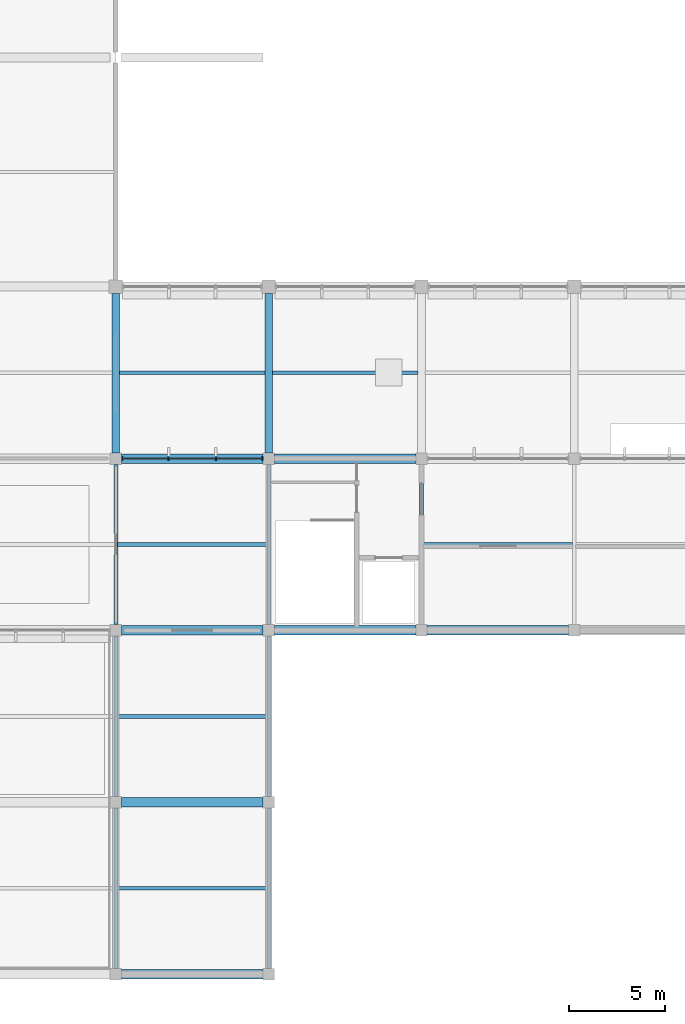
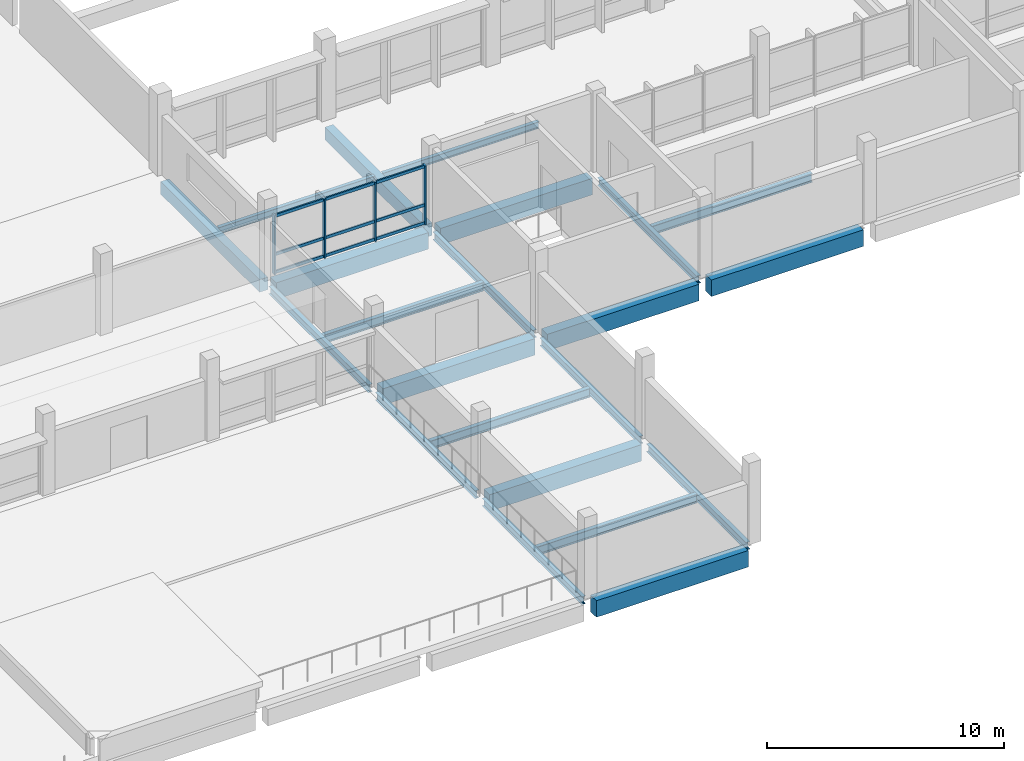
# One storey, part 5 of 70: 22 beams, 13 members, 1 element without a shape of its own.
"""IFC4 building model written with IfcOpenShell, lengths in metres."""

import ifcopenshell
import ifcopenshell.guid

model = None  # the IFC model being written
_history = None  # IfcOwnerHistory: only IFC2X3 demands one
_inside = {}  # id of a spatial element -> (the spatial element, [elements in it])
_under = {}  # id of a project, library or spatial element -> (it, [spatial elements below it])
_declared = {}  # id of a project -> (the project, [libraries it declares])
_typed = {}  # id of a type object -> (the type object, [elements of that type])
_made_of = {}  # id of a material, layer set ... -> (it, [elements and type objects made of it])


def new_model(schema):
    """Start an empty IFC model of exactly this schema.

    Asked for "IFC4X3", IfcOpenShell would pick the latest addendum, in which some entities
    have other attributes; the version numbers below select the first issue.
    IFC2X3 requires an IfcOwnerHistory on every rooted entity: one is made here for all.
    """
    global model, _history
    if schema == "IFC4X3":
        model = ifcopenshell.file(schema_version=(4, 3, 0, 0))
    else:
        model = ifcopenshell.file(schema=schema)
    _inside.clear()
    _under.clear()
    _declared.clear()
    _typed.clear()
    _made_of.clear()
    _history = None
    if model.schema == "IFC2X3":
        org = make("IfcOrganization", Name="unknown")
        user = make(
            "IfcPersonAndOrganization",
            ThePerson=make("IfcPerson", FamilyName="unknown"),
            TheOrganization=org,
        )
        app = make(
            "IfcApplication",
            ApplicationDeveloper=org,
            Version="unknown",
            ApplicationFullName="unknown",
            ApplicationIdentifier="unknown",
        )
        _history = make(
            "IfcOwnerHistory",
            OwningUser=user,
            OwningApplication=app,
            ChangeAction="ADDED",
            CreationDate=0,
        )
    return model


def make(cls, **values):
    """One entity of the class cls with the attributes given. An attribute that is None is left unset."""
    return model.create_entity(
        cls, **{name: value for name, value in values.items() if value is not None}
    )


def rooted(cls, **values):
    """An entity with a GlobalId (a new one), such as an element, a storey or a relation."""
    return make(cls, GlobalId=ifcopenshell.guid.new(), OwnerHistory=_history, **values)


def si_unit(unit_type, name, prefix=None):
    """IfcSIUnit, for example si_unit("LENGTHUNIT", "METRE", prefix="MILLI")."""
    return make("IfcSIUnit", UnitType=unit_type, Prefix=prefix, Name=name)


def assignment(units):
    """IfcUnitAssignment: the units of a project."""
    return None if units is None else make("IfcUnitAssignment", Units=units)


def point(xyz):
    """IfcCartesianPoint."""
    return None if xyz is None else make("IfcCartesianPoint", Coordinates=xyz)


def direction(xyz):
    """IfcDirection."""
    return None if xyz is None else make("IfcDirection", DirectionRatios=xyz)


def frame(location, z_axis=None, x_axis=None):
    """IfcAxis2Placement3D, a coordinate frame: its origin and axes. An axis left out is left unset."""
    return make(
        "IfcAxis2Placement3D",
        Location=point(location),
        Axis=direction(z_axis),
        RefDirection=direction(x_axis),
    )


def frame_2d(location, x_axis=None):
    """IfcAxis2Placement2D, a coordinate frame in the plane: its origin and x axis."""
    return make(
        "IfcAxis2Placement2D", Location=point(location), RefDirection=direction(x_axis)
    )


def origin():
    """The frame at (0, 0, 0) with its axes left unset."""
    return frame((0.0, 0.0, 0.0))


def origin_2d():
    """The frame at (0, 0) in the plane with its x axis left unset."""
    return frame_2d((0.0, 0.0))


def place(relative_to, where):
    """IfcLocalPlacement: puts the frame where relative to a parent placement (None: the world)."""
    return make(
        "IfcLocalPlacement", PlacementRelTo=relative_to, RelativePlacement=where
    )


def context(
    kind, dimensions, precision=None, world=None, true_north=None, identifier=None
):
    """IfcGeometricRepresentationContext, for example the 3D "Model" context."""
    return make(
        "IfcGeometricRepresentationContext",
        ContextIdentifier=identifier,
        ContextType=kind,
        CoordinateSpaceDimension=dimensions,
        Precision=precision,
        WorldCoordinateSystem=world,
        TrueNorth=true_north,
    )


def subcontext(parent, identifier, kind, view, scale=None):
    """IfcGeometricRepresentationSubContext, for example "Body" below "Model"."""
    return make(
        "IfcGeometricRepresentationSubContext",
        ContextIdentifier=identifier,
        ContextType=kind,
        ParentContext=parent,
        TargetScale=scale,
        TargetView=view,
    )


def project(units=None, contexts=None):
    """IfcProject with its units and contexts."""
    return rooted(
        "IfcProject",
        Name="project",
        RepresentationContexts=contexts,
        UnitsInContext=assignment(units),
    )


def spatial(cls, under=None, at=None, **own):
    """A site, building, storey or space (cls), placed at a placement, below another one or the project."""
    s = rooted(cls, ObjectPlacement=at, **own)
    if under is not None:
        _under.setdefault(under.id(), (under, []))[1].append(s)
    return s


def profile(cls, at=None, kind="AREA", **sizes):
    """A parametric profile (cls). Its sizes go by their IFC names, for example OverallWidth=200.0."""
    return make(cls, ProfileType=kind, Position=at, **sizes)


def rectangle(**sizes):
    """IfcRectangleProfileDef."""
    return profile("IfcRectangleProfileDef", **sizes)


def i_section(**sizes):
    """IfcIShapeProfileDef."""
    return profile("IfcIShapeProfileDef", **sizes)


def extrude(swept, where, along, depth):
    """IfcExtrudedAreaSolid: the profile swept, set in the frame where, extruded along a direction by depth."""
    return make(
        "IfcExtrudedAreaSolid",
        SweptArea=swept,
        Position=where,
        ExtrudedDirection=direction(along),
        Depth=depth,
    )


def shape(context_of_items, identifier, shape_type, items):
    """IfcShapeRepresentation: the items that make up one representation, for example the "Body"."""
    return make(
        "IfcShapeRepresentation",
        ContextOfItems=context_of_items,
        RepresentationIdentifier=identifier,
        RepresentationType=shape_type,
        Items=items,
    )


def material(Name=None, Category=None):
    """IfcMaterial."""
    return make("IfcMaterial", Name=Name, Category=Category)


def material_profile(
    of_material, cross_section, Name=None, Category=None, Priority=None
):
    """IfcMaterialProfile: a cross section and its material."""
    return make(
        "IfcMaterialProfile",
        Name=Name,
        Material=of_material,
        Profile=cross_section,
        Priority=Priority,
        Category=Category,
    )


def profile_set(profiles, Name=None, composite=None):
    """IfcMaterialProfileSet."""
    return make(
        "IfcMaterialProfileSet",
        Name=Name,
        MaterialProfiles=profiles,
        CompositeProfile=composite,
    )


def made_of(thing, what):
    """Note that an element or type object is made of a material, layer set ...; save() writes the relation."""
    if what is not None:
        _made_of.setdefault(what.id(), (what, []))[1].append(thing)
    return thing


def type_object(cls, material=None, **own):
    """A type object (cls), such as IfcWallType, which elements share."""
    return made_of(rooted(cls, **own), material)


def element(
    cls,
    number,
    at=None,
    inside=None,
    cuts=None,
    type_object=None,
    material=None,
    context=None,
    identifier="Body",
    shape_type=None,
    held_by="IfcProductDefinitionShape",
    body=None,
    shapes=None,
    **own,
):
    """One element of the class cls, such as IfcWall. Its Tag is "e" and its number.

    at: its placement. inside: the storey or other place that contains it. cuts: it is an
    opening in that element (IfcRelVoidsElement). A single representation is given by context,
    identifier, shape_type and body (its items); several are given by shapes. held_by: the class
    of the entity that holds the representations. save() writes the other relations.
    """
    e = rooted(cls, Tag="e%d" % number, ObjectPlacement=at, **own)
    if body is not None:
        shapes = [shape(context, identifier, shape_type, body)]
    if shapes is not None:
        e.Representation = make(held_by, Representations=shapes)
    if inside is not None:
        _inside.setdefault(inside.id(), (inside, []))[1].append(e)
    if cuts is not None:
        rooted(
            "IfcRelVoidsElement", RelatingBuildingElement=cuts, RelatedOpeningElement=e
        )
    if type_object is not None:
        _typed.setdefault(type_object.id(), (type_object, []))[1].append(e)
    return made_of(e, material)


def aggregate(whole, parts):
    """IfcRelAggregates: a whole, such as a stair, and the parts it consists of."""
    return rooted("IfcRelAggregates", RelatingObject=whole, RelatedObjects=parts)


def save(model, path):
    """Write the relations noted so far, then the file.

    IfcRelAggregates (storeys below a building ...), IfcRelContainedInSpatialStructure (elements
    in a storey), IfcRelDefinesByType, IfcRelAssociatesMaterial and IfcRelDeclares: one each for
    every whole, place, type object, material and project.
    """
    for whole, parts in _under.values():
        aggregate(whole, parts)
    for where, things in _inside.values():
        rooted(
            "IfcRelContainedInSpatialStructure",
            RelatedElements=things,
            RelatingStructure=where,
        )
    for kind, things in _typed.values():
        rooted("IfcRelDefinesByType", RelatedObjects=things, RelatingType=kind)
    for what, things in _made_of.values():
        rooted("IfcRelAssociatesMaterial", RelatedObjects=things, RelatingMaterial=what)
    for by, libraries in _declared.values():
        rooted("IfcRelDeclares", RelatingContext=by, RelatedDefinitions=libraries)
    model.write(path)


model = new_model("IFC4")

# Units and contexts
model_context = context("Model", 3, precision=1e-05, world=origin(), true_north=direction((0.0, 1.0)))
body_context = subcontext(model_context, "Body", "Model", "MODEL_VIEW")
ifc_project = project(units=[si_unit("LENGTHUNIT", "METRE"), si_unit("AREAUNIT", "SQUARE_METRE"), si_unit("VOLUMEUNIT", "CUBIC_METRE"), si_unit("PLANEANGLEUNIT", "RADIAN"), si_unit("MASSUNIT", "GRAM", prefix="KILO"), si_unit("THERMODYNAMICTEMPERATUREUNIT", "KELVIN"), si_unit("POWERUNIT", "WATT")], contexts=[model_context])

# Site, building, storey
site_placement = place(None, origin())
site = spatial("IfcSite", under=ifc_project, at=site_placement, CompositionType="ELEMENT")
building_placement = place(site_placement, origin())
building = spatial("IfcBuilding", under=site, at=building_placement, Name="Kronsvod Quay Wholesale Market", CompositionType="ELEMENT")
storey_placement = place(building_placement, frame((0.0, 0.0, 9.0)))
storey = spatial("IfcBuildingStorey", under=building, at=storey_placement, Name="L02", CompositionType="ELEMENT", Elevation=9.0)

# Beams
ifc_material_1 = material(Name="Precast concrete C40/50", Category="concrete")
ifc_material_profile_1 = material_profile(ifc_material_1, rectangle(XDim=0.39990234375, YDim=0.64990234375, at=origin_2d()), Name="PCB400x650")
ifc_profile_set_1 = profile_set([ifc_material_profile_1], Name="Precast concrete C40/50")
beam_type_1 = type_object("IfcBeamType", Name="Beam_PCB400x650", PredefinedType="BEAM", material=ifc_profile_set_1)
for number, where, z_axis, x_axis, name in (
    (1, (32.0, 45.300048828125, -0.635009765625), (0.0, 1.0, 0.0), (-1.0, 0.0, 0.0), "BMY-L02-320-450"),
    (2, (40.0, 45.300048828125, -0.635009765625), (0.0, 1.0, 0.0), (-1.0, 0.0, 0.0), "BMY-L02-400-450"),
):
    element("IfcBeam", number, at=place(storey_placement, frame(where, z_axis=z_axis, x_axis=x_axis)), inside=storey, type_object=beam_type_1, Name=name, PredefinedType="BEAM", context=body_context, shape_type="SweptSolid", body=[
        extrude(rectangle(XDim=0.39990234375, YDim=0.64990234375, at=origin_2d()), origin(), (0.0, 0.0, 1.0), 8.349853515625),
    ])
ifc_material_2 = material(Name="Steel S355", Category="steel")
ifc_material_profile_2 = material_profile(ifc_material_2, i_section(OverallWidth=0.199951171875, OverallDepth=0.39990234375, WebThickness=0.008056640625, FlangeThickness=0.012939453125, FilletRadius=0.01611328125, at=origin_2d()), Name="40B2")
ifc_profile_set_2 = profile_set([ifc_material_profile_2], Name="Steel S355")
beam_type_2 = type_object("IfcBeamType", Name="Beam_Steel40B2", PredefinedType="BEAM", material=ifc_profile_set_2)
for number, where, z_axis, x_axis, name in (
    (3, (32.0, 18.300048828125, -0.510009765625), (0.0, 1.0, 0.0), (-1.0, 0.0, 0.0), "BMY-L02-320-180"),
    (4, (32.0, 27.300048828125, -0.510009765625), (0.0, 1.0, 0.0), (-1.0, 0.0, 0.0), "BMY-L02-320-270"),
    (5, (32.0, 36.300048828125, -0.510009765625), (0.0, 1.0, 0.0), (-1.0, 0.0, 0.0), "BMY-L02-320-360"),
    (6, (40.0, 18.300048828125, -0.510009765625), (0.0, 1.0, 0.0), (-1.0, 0.0, 0.0), "BMY-L02-400-180"),
    (7, (40.0, 27.300048828125, -0.510009765625), (0.0, 1.0, 0.0), (-1.0, 0.0, 0.0), "BMY-L02-400-270"),
    (8, (40.0, 36.300048828125, -0.510009765625), (0.0, 1.0, 0.0), (-1.0, 0.0, 0.0), "BMY-L02-400-360"),
    (9, (48.0, 36.300048828125, -0.510009765625), (0.0, 1.0, 0.0), (-1.0, 0.0, 0.0), "BMY-L02-480-360"),
):
    element("IfcBeam", number, at=place(storey_placement, frame(where, z_axis=z_axis, x_axis=x_axis)), inside=storey, type_object=beam_type_2, Name=name, PredefinedType="BEAM", context=body_context, shape_type="SweptSolid", body=[
        extrude(i_section(OverallWidth=0.199951171875, OverallDepth=0.39990234375, WebThickness=0.008056640625, FlangeThickness=0.012939453125, FilletRadius=0.01611328125, at=origin_2d()), origin(), (0.0, 0.0, 1.0), 8.39990234375),
    ])
ifc_material_3 = material(Name="Steel S355", Category="steel")
ifc_material_profile_3 = material_profile(ifc_material_3, i_section(OverallWidth=0.199951171875, OverallDepth=0.449951171875, WebThickness=0.009033203125, FlangeThickness=0.013916015625, FilletRadius=0.01806640625, at=origin_2d()), Name="45B2")
ifc_profile_set_3 = profile_set([ifc_material_profile_3], Name="Steel S355")
beam_type_3 = type_object("IfcBeamType", Name="Beam_Steel45B2", PredefinedType="BEAM", material=ifc_profile_set_3)
for number, where, z_axis, x_axis, name in (
    (10, (32.094970703125, 22.5, -0.52490234375), (1.0, 0.0, 0.0), (0.0, 1.0, 0.0), "JSTX-L02-320-180"),
    (11, (32.094970703125, 31.5, -0.52490234375), (1.0, 0.0, 0.0), (0.0, 1.0, 0.0), "JSTX-L02-320-270"),
    (12, (32.094970703125, 40.5, -0.52490234375), (1.0, 0.0, 0.0), (0.0, 1.0, 0.0), "JSTX-L02-320-360"),
    (13, (48.094970703125, 40.5, -0.52490234375), (1.0, 0.0, 0.0), (0.0, 1.0, 0.0), "JSTX-L02-480-360"),
):
    element("IfcBeam", number, at=place(storey_placement, frame(where, z_axis=z_axis, x_axis=x_axis)), inside=storey, type_object=beam_type_3, Name=name, PredefinedType="BEAM", context=body_context, shape_type="SweptSolid", body=[
        extrude(i_section(OverallWidth=0.199951171875, OverallDepth=0.449951171875, WebThickness=0.009033203125, FlangeThickness=0.013916015625, FilletRadius=0.01806640625, at=origin_2d()), origin(), (0.0, 0.0, 1.0), 7.81005859375),
    ])
ifc_material_4 = material(Name="Precast concrete C40/50", Category="concrete")
ifc_material_profile_4 = material_profile(ifc_material_4, rectangle(XDim=0.5, YDim=0.85009765625, at=origin_2d()), Name="PCB500x850")
ifc_profile_set_4 = profile_set([ifc_material_profile_4], Name="Precast concrete C40/50")
beam_type_4 = type_object("IfcBeamType", Name="Girder_PCB500x850", PredefinedType="T_BEAM", material=ifc_profile_set_4)
for number, where, z_axis, x_axis, name in (
    (14, (32.300048828125, 18.0, -0.735107421875), (1.0, 0.0, 0.0), (0.0, 1.0, 0.0), "BMX-L02-320-180"),
    (15, (32.300048828125, 27.0, -0.735107421875), (1.0, 0.0, 0.0), (0.0, 1.0, 0.0), "BMX-L02-320-270"),
    (16, (32.300048828125, 36.0, -0.735107421875), (1.0, 0.0, 0.0), (0.0, 1.0, 0.0), "BMX-L02-320-360"),
    (17, (40.300048828125, 36.0, -0.735107421875), (1.0, 0.0, 0.0), (0.0, 1.0, 0.0), "BMX-L02-400-360"),
    (18, (48.300048828125, 36.0, -0.735107421875), (1.0, 0.0, 0.0), (0.0, 1.0, 0.0), "BMX-L02-480-360"),
    (19, (32.300048828125, 45.0, -0.735107421875), (1.0, 0.0, 0.0), (0.0, 1.0, 0.0), "BMX-L02-320-450"),
    (20, (40.300048828125, 45.0, -0.735107421875), (1.0, 0.0, 0.0), (0.0, 1.0, 0.0), "BMX-L02-400-450"),
):
    element("IfcBeam", number, at=place(storey_placement, frame(where, z_axis=z_axis, x_axis=x_axis)), inside=storey, type_object=beam_type_4, Name=name, PredefinedType="T_BEAM", context=body_context, shape_type="SweptSolid", body=[
        extrude(rectangle(XDim=0.5, YDim=0.85009765625, at=origin_2d()), origin(), (0.0, 0.0, 1.0), 7.39990234375),
    ])
ifc_material_5 = material(Name="Steel S355", Category="steel")
ifc_material_profile_5 = material_profile(ifc_material_5, i_section(OverallWidth=0.174072265625, OverallDepth=0.345947265625, WebThickness=0.006103515625, FlangeThickness=0.009033203125, FilletRadius=0.013916015625, at=origin_2d()), Name="35B1")
ifc_profile_set_5 = profile_set([ifc_material_profile_5], Name="Steel S355")
beam_type_5 = type_object("IfcBeamType", Name="Joist_Steel35B1", PredefinedType="JOIST", material=ifc_profile_set_5)
for number, where, z_axis, x_axis, name in (
    (21, (32.195068359375, 49.5, -0.43310546875), (1.0, 0.0, 0.0), (0.0, 1.0, 0.0), "JSTX-L02-320-450"),
    (22, (40.195068359375, 49.5, -0.43310546875), (1.0, 0.0, 0.0), (0.0, 1.0, 0.0), "JSTX-L02-400-450"),
):
    element("IfcBeam", number, at=place(storey_placement, frame(where, z_axis=z_axis, x_axis=x_axis)), inside=storey, type_object=beam_type_5, Name=name, PredefinedType="JOIST", context=body_context, shape_type="SweptSolid", body=[
        extrude(i_section(OverallWidth=0.174072265625, OverallDepth=0.345947265625, WebThickness=0.006103515625, FlangeThickness=0.009033203125, FilletRadius=0.013916015625, at=origin_2d()), origin(), (0.0, 0.0, 1.0), 7.60986328125),
    ])

# Curtain wall, members
ifc_material_6 = material(Name="Thermally broken aluminium and triple low-E glazing", Category="aluminium")
curtain_wall_type = type_object("IfcCurtainWallType", Name="CW_Harbour80x33", PredefinedType="NOTDEFINED", material=ifc_material_6)
curtain_wall_placement = place(storey_placement, origin())
curtain_wall = element("IfcCurtainWall", 23, at=curtain_wall_placement, inside=storey, type_object=curtain_wall_type, Name="CWGX-L02-320-450", PredefinedType="NOTDEFINED")
ifc_material_7 = material(Name="Anodised aluminium", Category="aluminium")
ifc_material_profile_6 = material_profile(ifc_material_7, rectangle(XDim=0.074951171875, YDim=0.199951171875, at=origin_2d()), Name="ALUM75x200")
ifc_profile_set_6 = profile_set([ifc_material_profile_6], Name="Anodised aluminium")
member_type_1 = type_object("IfcMemberType", Name="Mullion_ALU75x200", PredefinedType="MULLION", material=ifc_profile_set_6)
member_1_placement = place(storey_placement, frame((39.66748046875, 45.0, 0.0), z_axis=(0.0, 0.0, 1.0), x_axis=(1.0, 0.0, 0.0)))
member_1 = element("IfcMember", 24, at=member_1_placement, type_object=member_type_1, Name="CWGX-L02-320-450-M1", PredefinedType="MULLION", context=body_context, shape_type="SweptSolid", body=[
    extrude(rectangle(XDim=0.074951171875, YDim=0.199951171875, at=origin_2d()), origin(), (0.0, 0.0, 1.0), 3.050048828125),
])
member_2_placement = place(storey_placement, frame((37.235107421875, 45.0, 0.0), z_axis=(0.0, 0.0, 1.0), x_axis=(1.0, 0.0, 0.0)))
member_2 = element("IfcMember", 25, at=member_2_placement, type_object=member_type_1, Name="CWGX-L02-320-450-M2", PredefinedType="MULLION", context=body_context, shape_type="SweptSolid", body=[
    extrude(rectangle(XDim=0.074951171875, YDim=0.199951171875, at=origin_2d()), origin(), (0.0, 0.0, 1.0), 3.050048828125),
])
member_3_placement = place(storey_placement, frame((34.764892578125, 45.0, 0.0), z_axis=(0.0, 0.0, 1.0), x_axis=(1.0, 0.0, 0.0)))
member_3 = element("IfcMember", 26, at=member_3_placement, type_object=member_type_1, Name="CWGX-L02-320-450-M3", PredefinedType="MULLION", context=body_context, shape_type="SweptSolid", body=[
    extrude(rectangle(XDim=0.074951171875, YDim=0.199951171875, at=origin_2d()), origin(), (0.0, 0.0, 1.0), 3.050048828125),
])
member_4_placement = place(storey_placement, frame((32.33251953125, 45.0, 0.0), z_axis=(0.0, 0.0, 1.0), x_axis=(1.0, 0.0, 0.0)))
member_4 = element("IfcMember", 27, at=member_4_placement, type_object=member_type_1, Name="CWGX-L02-320-450-M4", PredefinedType="MULLION", context=body_context, shape_type="SweptSolid", body=[
    extrude(rectangle(XDim=0.074951171875, YDim=0.199951171875, at=origin_2d()), origin(), (0.0, 0.0, 1.0), 3.050048828125),
])
ifc_material_8 = material(Name="Anodised aluminium", Category="aluminium")
ifc_material_profile_7 = material_profile(ifc_material_8, rectangle(XDim=0.074951171875, YDim=0.14990234375, at=origin_2d()), Name="ALUT75x150")
ifc_profile_set_7 = profile_set([ifc_material_profile_7], Name="Anodised aluminium")
member_type_2 = type_object("IfcMemberType", Name="Transom_ALU75x150", PredefinedType="USERDEFINED", material=ifc_profile_set_7)
member_5_placement = place(storey_placement, frame((39.6298828125, 45.0, 0.074951171875), z_axis=(-1.0, 0.0, 0.0), x_axis=(0.0, -1.0, 0.0)))
member_5 = element("IfcMember", 28, at=member_5_placement, type_object=member_type_2, Name="CWGX-L02-320-450-T1B1", ObjectType="TRANSOM", PredefinedType="USERDEFINED", context=body_context, shape_type="SweptSolid", body=[
    extrude(rectangle(XDim=0.074951171875, YDim=0.14990234375, at=origin_2d()), origin(), (0.0, 0.0, 1.0), 2.357421875),
])
member_6_placement = place(storey_placement, frame((37.197509765625, 45.0, 0.074951171875), z_axis=(-1.0, 0.0, 0.0), x_axis=(0.0, -1.0, 0.0)))
member_6 = element("IfcMember", 29, at=member_6_placement, type_object=member_type_2, Name="CWGX-L02-320-450-T1B2", ObjectType="TRANSOM", PredefinedType="USERDEFINED", context=body_context, shape_type="SweptSolid", body=[
    extrude(rectangle(XDim=0.074951171875, YDim=0.14990234375, at=origin_2d()), origin(), (0.0, 0.0, 1.0), 2.39501953125),
])
member_7_placement = place(storey_placement, frame((34.7275390625, 45.0, 0.074951171875), z_axis=(-1.0, 0.0, 0.0), x_axis=(0.0, -1.0, 0.0)))
member_7 = element("IfcMember", 30, at=member_7_placement, type_object=member_type_2, Name="CWGX-L02-320-450-T1B3", ObjectType="TRANSOM", PredefinedType="USERDEFINED", context=body_context, shape_type="SweptSolid", body=[
    extrude(rectangle(XDim=0.074951171875, YDim=0.14990234375, at=origin_2d()), origin(), (0.0, 0.0, 1.0), 2.357421875),
])
member_8_placement = place(storey_placement, frame((39.6298828125, 45.0, 1.0), z_axis=(-1.0, 0.0, 0.0), x_axis=(0.0, -1.0, 0.0)))
member_8 = element("IfcMember", 31, at=member_8_placement, type_object=member_type_2, Name="CWGX-L02-320-450-T2B1", ObjectType="TRANSOM", PredefinedType="USERDEFINED", context=body_context, shape_type="SweptSolid", body=[
    extrude(rectangle(XDim=0.074951171875, YDim=0.14990234375, at=origin_2d()), origin(), (0.0, 0.0, 1.0), 2.357421875),
])
member_9_placement = place(storey_placement, frame((37.197509765625, 45.0, 1.0), z_axis=(-1.0, 0.0, 0.0), x_axis=(0.0, -1.0, 0.0)))
member_9 = element("IfcMember", 32, at=member_9_placement, type_object=member_type_2, Name="CWGX-L02-320-450-T2B2", ObjectType="TRANSOM", PredefinedType="USERDEFINED", context=body_context, shape_type="SweptSolid", body=[
    extrude(rectangle(XDim=0.074951171875, YDim=0.14990234375, at=origin_2d()), origin(), (0.0, 0.0, 1.0), 2.39501953125),
])
member_10_placement = place(storey_placement, frame((34.7275390625, 45.0, 1.0), z_axis=(-1.0, 0.0, 0.0), x_axis=(0.0, -1.0, 0.0)))
member_10 = element("IfcMember", 33, at=member_10_placement, type_object=member_type_2, Name="CWGX-L02-320-450-T2B3", ObjectType="TRANSOM", PredefinedType="USERDEFINED", context=body_context, shape_type="SweptSolid", body=[
    extrude(rectangle(XDim=0.074951171875, YDim=0.14990234375, at=origin_2d()), origin(), (0.0, 0.0, 1.0), 2.357421875),
])
member_11_placement = place(storey_placement, frame((39.6298828125, 45.0, 2.97509765625), z_axis=(-1.0, 0.0, 0.0), x_axis=(0.0, -1.0, 0.0)))
member_11 = element("IfcMember", 34, at=member_11_placement, type_object=member_type_2, Name="CWGX-L02-320-450-T3B1", ObjectType="TRANSOM", PredefinedType="USERDEFINED", context=body_context, shape_type="SweptSolid", body=[
    extrude(rectangle(XDim=0.074951171875, YDim=0.14990234375, at=origin_2d()), origin(), (0.0, 0.0, 1.0), 2.357421875),
])
member_12_placement = place(storey_placement, frame((37.197509765625, 45.0, 2.97509765625), z_axis=(-1.0, 0.0, 0.0), x_axis=(0.0, -1.0, 0.0)))
member_12 = element("IfcMember", 35, at=member_12_placement, type_object=member_type_2, Name="CWGX-L02-320-450-T3B2", ObjectType="TRANSOM", PredefinedType="USERDEFINED", context=body_context, shape_type="SweptSolid", body=[
    extrude(rectangle(XDim=0.074951171875, YDim=0.14990234375, at=origin_2d()), origin(), (0.0, 0.0, 1.0), 2.39501953125),
])
member_13_placement = place(storey_placement, frame((34.7275390625, 45.0, 2.97509765625), z_axis=(-1.0, 0.0, 0.0), x_axis=(0.0, -1.0, 0.0)))
member_13 = element("IfcMember", 36, at=member_13_placement, type_object=member_type_2, Name="CWGX-L02-320-450-T3B3", ObjectType="TRANSOM", PredefinedType="USERDEFINED", context=body_context, shape_type="SweptSolid", body=[
    extrude(rectangle(XDim=0.074951171875, YDim=0.14990234375, at=origin_2d()), origin(), (0.0, 0.0, 1.0), 2.357421875),
])
aggregate(curtain_wall, [member_1, member_2, member_3, member_4, member_5, member_6, member_7, member_8, member_9, member_10, member_11, member_12, member_13])

save(model, "model.ifc")
